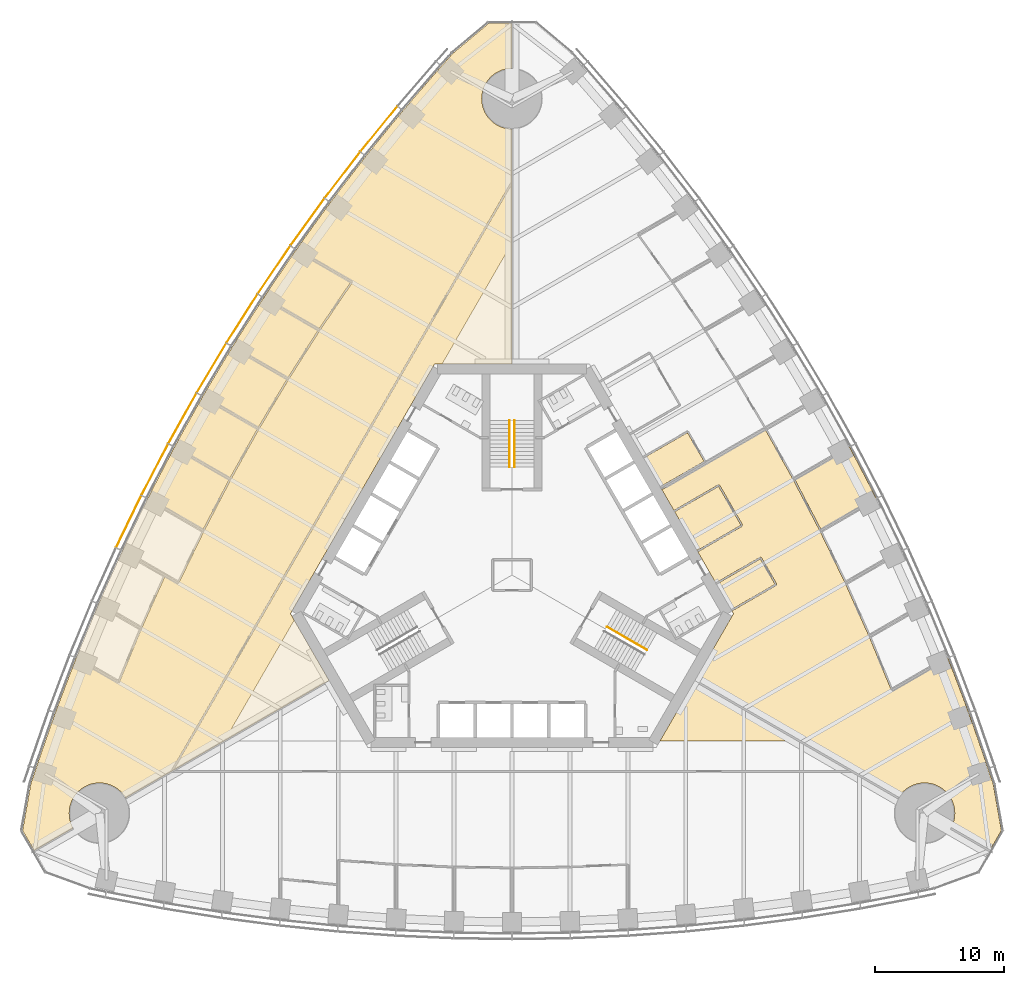
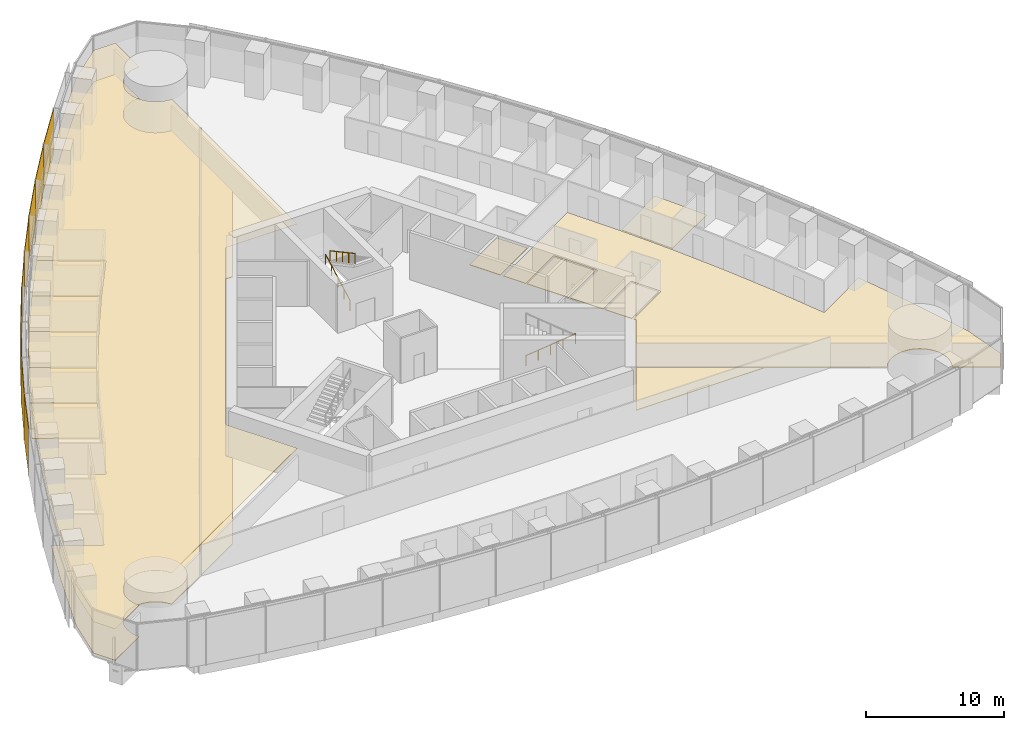
# One storey, part 15 of 18: 14 coverings, 9 shading devices, 3 railings.
"""IFC4 building model written with IfcOpenShell, lengths in metres."""

from ifc_helpers import new_model, si_unit, direction, frame, origin, origin_2d, place, context, subcontext, project, spatial, polyline, rectangle, circle, outline, extrude, material, layer, layer_set, type_object, element, save


model = new_model("IFC4")

# Units and contexts
model_context = context("Model", 3, precision=1e-05, world=origin(), true_north=direction((0.0, 1.0)))
body_context = subcontext(model_context, "Body", "Model", "MODEL_VIEW")
ifc_project = project(units=[si_unit("LENGTHUNIT", "METRE"), si_unit("AREAUNIT", "SQUARE_METRE"), si_unit("VOLUMEUNIT", "CUBIC_METRE"), si_unit("PLANEANGLEUNIT", "RADIAN"), si_unit("MASSUNIT", "GRAM", prefix="KILO")], contexts=[model_context])

# Site, building, storey
site_placement = place(None, origin())
site = spatial("IfcSite", under=ifc_project, at=site_placement, CompositionType="ELEMENT")
building_placement = place(site_placement, origin())
building = spatial("IfcBuilding", under=site, at=building_placement, Name="Trefoil Bronze Tower", CompositionType="ELEMENT")
storey_placement = place(building_placement, frame((0.0, 0.0, 54.300048828125)))
storey = spatial("IfcBuildingStorey", under=building, at=storey_placement, Name="L12", CompositionType="ELEMENT", Elevation=54.300048828125)

# Shading devices
ifc_material_1 = material(Name="Perforated bronze sheet", Category="bronze")
ifc_layer_1 = layer(ifc_material_1, 0.0400390625)
ifc_layer_set_1 = layer_set([ifc_layer_1], Name="Bronze solar screen panel")
shading_device_type = type_object("IfcShadingDeviceType", Name="Bronze solar screen panel", PredefinedType="SHUTTER", material=ifc_layer_set_1)
shading_device_1_placement = place(storey_placement, frame((-10.338623046875, 34.6474609375, 0.0498046875), z_axis=(0.0, 0.0, 1.0), x_axis=(-0.631810729457, -0.775122701346, 0.0)))
element("IfcShadingDevice", 1, at=shading_device_1_placement, inside=storey, type_object=shading_device_type, Name="Solar screen CW-A L12 F3 bay 3", PredefinedType="SHUTTER", context=body_context, shape_type="SweptSolid", body=[
    extrude(rectangle(XDim=4.5283203125, YDim=0.0400390625, at=origin_2d()), origin(), (0.0, 0.0, 1.0), 4.10009765625),
])
shading_device_2_placement = place(storey_placement, frame((-13.170166015625, 31.06787109375, 0.0498046875), z_axis=(0.0, 0.0, 1.0), x_axis=(-0.608807670879, -0.793317855515, 0.0)))
element("IfcShadingDevice", 2, at=shading_device_2_placement, inside=storey, type_object=shading_device_type, Name="Solar screen CW-A L12 F3 bay 4", PredefinedType="SHUTTER", context=body_context, shape_type="SweptSolid", body=[
    extrude(rectangle(XDim=4.5087890625, YDim=0.0400390625, at=origin_2d()), origin(), (0.0, 0.0, 1.0), 4.10009765625),
])
shading_device_3_placement = place(storey_placement, frame((-15.88525390625, 27.421142578125, 0.0498046875), z_axis=(0.0, 0.0, 1.0), x_axis=(-0.585372522213, -0.810764460394, 0.0)))
element("IfcShadingDevice", 3, at=shading_device_3_placement, inside=storey, type_object=shading_device_type, Name="Solar screen CW-A L12 F3 bay 5", PredefinedType="SHUTTER", context=body_context, shape_type="SweptSolid", body=[
    extrude(rectangle(XDim=4.493408203125, YDim=0.0400390625, at=origin_2d()), origin(), (0.0, 0.0, 1.0), 4.10009765625),
])
shading_device_4_placement = place(storey_placement, frame((-18.48486328125, 23.707763671875, 0.0498046875), z_axis=(0.0, 0.0, 1.0), x_axis=(-0.56150968077, -0.827470167681, 0.0)))
element("IfcShadingDevice", 4, at=shading_device_4_placement, inside=storey, type_object=shading_device_type, Name="Solar screen CW-A L12 F3 bay 6", PredefinedType="SHUTTER", context=body_context, shape_type="SweptSolid", body=[
    extrude(rectangle(XDim=4.48193359375, YDim=0.0400390625, at=origin_2d()), origin(), (0.0, 0.0, 1.0), 4.10009765625),
])
shading_device_5_placement = place(storey_placement, frame((-20.97021484375, 19.928466796875, 0.0498046875), z_axis=(0.0, 0.0, 1.0), x_axis=(-0.537222392469, -0.843440632783, 0.0)))
element("IfcShadingDevice", 5, at=shading_device_5_placement, inside=storey, type_object=shading_device_type, Name="Solar screen CW-A L12 F3 bay 7", PredefinedType="SHUTTER", context=body_context, shape_type="SweptSolid", body=[
    extrude(rectangle(XDim=4.474365234375, YDim=0.0400390625, at=origin_2d()), origin(), (0.0, 0.0, 1.0), 4.10009765625),
])
for number, where, z_axis, x_axis, name in (
    (6, (-23.341552734375, 16.083251953125, 0.0498046875), (0.0, 0.0, 1.0), (-0.51251279404, -0.858679588639, 0.0), "Solar screen CW-A L12 F3 bay 8"),
    (7, (-25.599365234375, 12.172607421875, 0.0498046875), (0.0, 0.0, 1.0), (-0.487381940453, -0.873188893722, 0.0), "Solar screen CW-A L12 F3 bay 9"),
):
    element("IfcShadingDevice", number, at=place(storey_placement, frame(where, z_axis=z_axis, x_axis=x_axis)), inside=storey, type_object=shading_device_type, Name=name, PredefinedType="SHUTTER", context=body_context, shape_type="SweptSolid", body=[
        extrude(rectangle(XDim=4.470458984375, YDim=0.0400390625, at=origin_2d()), origin(), (0.0, 0.0, 1.0), 4.10009765625),
    ])
shading_device_6_placement = place(storey_placement, frame((-27.74365234375, 8.1962890625, 0.0498046875), z_axis=(0.0, 0.0, 1.0), x_axis=(-0.46182981834, -0.886968555752, 0.0)))
element("IfcShadingDevice", 8, at=shading_device_6_placement, inside=storey, type_object=shading_device_type, Name="Solar screen CW-A L12 F3 bay 10", PredefinedType="SHUTTER", context=body_context, shape_type="SweptSolid", body=[
    extrude(rectangle(XDim=4.474365234375, YDim=0.0400390625, at=origin_2d()), origin(), (0.0, 0.0, 1.0), 4.10009765625),
])
shading_device_7_placement = place(storey_placement, frame((-29.77392578125, 4.154541015625, 0.0498046875), z_axis=(0.0, 0.0, 1.0), x_axis=(-0.4358553457, -0.900016731858, 0.0)))
element("IfcShadingDevice", 9, at=shading_device_7_placement, inside=storey, type_object=shading_device_type, Name="Solar screen CW-A L12 F3 bay 11", PredefinedType="SHUTTER", context=body_context, shape_type="SweptSolid", body=[
    extrude(rectangle(XDim=4.48193359375, YDim=0.0400390625, at=origin_2d()), origin(), (0.0, 0.0, 1.0), 4.10009765625),
])

# Railings
ifc_material_2 = material(Name="Steel handrail", Category="steel")
railing_type = type_object("IfcRailingType", Name="Handrail 900", PredefinedType="HANDRAIL", material=ifc_material_2)
railing_1_placement = place(storey_placement, frame((7.365966796875, -4.021728515625, 0.161376953125)))
element("IfcRailing", 10, at=railing_1_placement, inside=storey, type_object=railing_type, Name="Handrail ST1 flight 1 L12", PredefinedType="HANDRAIL", context=body_context, shape_type="SweptSolid", body=[
    extrude(circle(Radius=0.02392578125, at=origin_2d()), frame((0.0, 0.0, 0.8759765625), z_axis=(0.76250339821, -0.440245697338, 0.474101564745), x_axis=(0.500012057535, 0.866018442252, 0.0)), (0.0, 0.0, 1.0), 4.088623046875),
    extrude(circle(Radius=0.02099609375, at=origin_2d()), origin(), (0.0, 0.0, 1.0), 0.851806640625),
    extrude(circle(Radius=0.02099609375, at=origin_2d()), frame((0.779296875, -0.449951171875, 0.484619140625)), (0.0, 0.0, 1.0), 0.851806640625),
    extrude(circle(Radius=0.02099609375, at=origin_2d()), frame((1.558837890625, -0.89990234375, 0.96923828125)), (0.0, 0.0, 1.0), 0.851806640625),
    extrude(circle(Radius=0.02099609375, at=origin_2d()), frame((2.33837890625, -1.35009765625, 1.453857421875)), (0.0, 0.0, 1.0), 0.851806640625),
    extrude(circle(Radius=0.02099609375, at=origin_2d()), frame((3.11767578125, -1.800048828125, 1.9384765625)), (0.0, 0.0, 1.0), 0.851806640625),
])
railing_2_placement = place(storey_placement, frame((-0.199951171875, 8.389892578125, 0.161376953125)))
element("IfcRailing", 11, at=railing_2_placement, inside=storey, type_object=railing_type, Name="Handrail ST2 flight 1 L12", PredefinedType="HANDRAIL", context=body_context, shape_type="SweptSolid", body=[
    extrude(circle(Radius=0.02392578125, at=origin_2d()), frame((0.0, 0.0, 0.8759765625), z_axis=(0.0, 0.880474934443, 0.474092701714), x_axis=(-1.0, 0.0, 0.0)), (0.0, 0.0, 1.0), 4.0888671875),
    extrude(circle(Radius=0.02099609375, at=origin_2d()), origin(), (0.0, 0.0, 1.0), 0.851806640625),
    extrude(circle(Radius=0.02099609375, at=origin_2d()), frame((0.0, 0.89990234375, 0.484619140625)), (0.0, 0.0, 1.0), 0.851806640625),
    extrude(circle(Radius=0.02099609375, at=origin_2d()), frame((0.0, 1.800048828125, 0.96923828125)), (0.0, 0.0, 1.0), 0.851806640625),
    extrude(circle(Radius=0.02099609375, at=origin_2d()), frame((0.0, 2.7001953125, 1.453857421875)), (0.0, 0.0, 1.0), 0.851806640625),
    extrude(circle(Radius=0.02099609375, at=origin_2d()), frame((0.0, 3.60009765625, 1.9384765625)), (0.0, 0.0, 1.0), 0.851806640625),
])
railing_3_placement = place(storey_placement, frame((0.199951171875, 11.989990234375, 2.261474609375)))
element("IfcRailing", 12, at=railing_3_placement, inside=storey, type_object=railing_type, Name="Handrail ST2 flight 2 L12", PredefinedType="HANDRAIL", context=body_context, shape_type="SweptSolid", body=[
    extrude(circle(Radius=0.02392578125, at=origin_2d()), frame((0.0, 0.0, 0.8759765625), z_axis=(0.0, -0.880474934443, 0.474092701714), x_axis=(1.0, 0.0, 0.0)), (0.0, 0.0, 1.0), 4.0888671875),
    extrude(circle(Radius=0.02099609375, at=origin_2d()), origin(), (0.0, 0.0, 1.0), 0.851806640625),
    extrude(circle(Radius=0.02099609375, at=origin_2d()), frame((0.0, -0.89990234375, 0.484619140625)), (0.0, 0.0, 1.0), 0.851806640625),
    extrude(circle(Radius=0.02099609375, at=origin_2d()), frame((0.0, -1.800048828125, 0.96923828125)), (0.0, 0.0, 1.0), 0.851806640625),
    extrude(circle(Radius=0.02099609375, at=origin_2d()), frame((0.0, -2.7001953125, 1.453857421875)), (0.0, 0.0, 1.0), 0.851806640625),
    extrude(circle(Radius=0.02099609375, at=origin_2d()), frame((0.0, -3.60009765625, 1.9384765625)), (0.0, 0.0, 1.0), 0.851806640625),
])

# Coverings
ifc_material_3 = material(Name="Acoustic ceiling panels", Category="mineral fibre")
ifc_layer_2 = layer(ifc_material_3, 0.02001953125)
ifc_layer_set_2 = layer_set([ifc_layer_2], Name="Office ceiling 20")
covering_type_1 = type_object("IfcCoveringType", Name="Office ceiling 20", PredefinedType="CEILING", material=ifc_layer_set_2)
covering_1_placement = place(storey_placement, frame((0.0, 0.0, 2.89990234375)))
element("IfcCovering", 13, at=covering_1_placement, inside=storey, type_object=covering_type_1, Name="Ceiling L12 Open-plan office F3", PredefinedType="CEILING", context=body_context, shape_type="SweptSolid", body=[
    extrude(outline(polyline([(-36.9814453125, -15.021728515625), (-35.47998046875, -10.6923828125), (-33.860107421875, -6.431640625), (-32.123291015625, -2.23828125), (-30.271240234375, 1.888671875), (-28.3046875, 5.949462890625), (-26.224609375, 9.944580078125), (-24.031005859375, 13.87451171875), (-21.724609375, 17.73876953125), (-19.3046875, 21.537841796875), (-16.771240234375, 25.271484375), (-14.123291015625, 28.938720703125), (-11.360107421875, 32.53955078125), (-8.47998046875, 36.072998046875), (-5.4814453125, 39.537841796875), (-4.618896484375, 40.497314453125), (-1.82421875, 42.84228515625), (-0.01611328125, 42.84228515625), (-0.014892578125, 39.349609375), (-0.115234375, 39.34716796875), (-0.230224609375, 39.338623046875), (-0.3447265625, 39.32470703125), (-0.45849609375, 39.3046875), (-0.571044921875, 39.279541015625), (-0.68212890625, 39.248779296875), (-0.791748046875, 39.212646484375), (-0.8994140625, 39.171142578125), (-1.0048828125, 39.12451171875), (-1.10791015625, 39.072509765625), (-1.2080078125, 39.015625), (-1.3056640625, 38.9541015625), (-1.39990234375, 38.887451171875), (-1.49072265625, 38.816650390625), (-1.578125, 38.7412109375), (-1.66162109375, 38.66162109375), (-1.7412109375, 38.578125), (-1.816650390625, 38.49072265625), (-1.887451171875, 38.39990234375), (-1.9541015625, 38.3056640625), (-2.015625, 38.2080078125), (-2.072509765625, 38.10791015625), (-2.12451171875, 38.0048828125), (-2.171142578125, 37.8994140625), (-2.212646484375, 37.791748046875), (-2.248779296875, 37.68212890625), (-2.279541015625, 37.571044921875), (-2.3046875, 37.45849609375), (-2.32470703125, 37.3447265625), (-2.338623046875, 37.230224609375), (-2.34716796875, 37.115234375), (-2.35009765625, 37.0), (-2.34716796875, 36.884765625), (-2.338623046875, 36.769775390625), (-2.32470703125, 36.6552734375), (-2.3046875, 36.54150390625), (-2.279541015625, 36.428955078125), (-2.248779296875, 36.31787109375), (-2.212646484375, 36.208251953125), (-2.171142578125, 36.1005859375), (-2.12451171875, 35.9951171875), (-2.072509765625, 35.89208984375), (-2.015625, 35.7919921875), (-1.9541015625, 35.6943359375), (-1.887451171875, 35.60009765625), (-1.816650390625, 35.50927734375), (-1.7412109375, 35.421875), (-1.66162109375, 35.33837890625), (-1.578125, 35.2587890625), (-1.49072265625, 35.183349609375), (-1.39990234375, 35.112548828125), (-1.3056640625, 35.0458984375), (-1.2080078125, 34.984375), (-1.10791015625, 34.927490234375), (-1.0048828125, 34.87548828125), (-0.8994140625, 34.828857421875), (-0.791748046875, 34.787353515625), (-0.68212890625, 34.751220703125), (-0.571044921875, 34.720458984375), (-0.45849609375, 34.6953125), (-0.3447265625, 34.67529296875), (-0.230224609375, 34.661376953125), (-0.115234375, 34.65283203125), (-0.012939453125, 34.650390625), (-0.006103515625, 16.39990234375), (-6.00439453125, 16.39990234375), (-17.205078125, -3.0), (-14.205810546875, -8.194580078125), (-30.0146484375, -17.31396484375), (-30.02734375, -17.2919921875), (-30.089111328125, -17.1943359375), (-30.155517578125, -17.10009765625), (-30.226318359375, -17.00927734375), (-30.3017578125, -16.921875), (-30.381103515625, -16.83837890625), (-30.46484375, -16.7587890625), (-30.552001953125, -16.683349609375), (-30.64306640625, -16.612548828125), (-30.7373046875, -16.5458984375), (-30.834716796875, -16.484375), (-30.935302734375, -16.427490234375), (-31.0380859375, -16.37548828125), (-31.1435546875, -16.328857421875), (-31.251220703125, -16.287353515625), (-31.36083984375, -16.251220703125), (-31.471923828125, -16.220458984375), (-31.58447265625, -16.1953125), (-31.697998046875, -16.17529296875), (-31.8125, -16.161376953125), (-31.927490234375, -16.15283203125), (-32.04296875, -16.14990234375), (-32.158203125, -16.15283203125), (-32.273193359375, -16.161376953125), (-32.3876953125, -16.17529296875), (-32.50146484375, -16.1953125), (-32.614013671875, -16.220458984375), (-32.72509765625, -16.251220703125), (-32.834716796875, -16.287353515625), (-32.942138671875, -16.328857421875), (-33.047607421875, -16.37548828125), (-33.150634765625, -16.427490234375), (-33.251220703125, -16.484375), (-33.348388671875, -16.5458984375), (-33.44287109375, -16.612548828125), (-33.53369140625, -16.683349609375), (-33.62109375, -16.7587890625), (-33.70458984375, -16.83837890625), (-33.7841796875, -16.921875), (-33.859619140625, -17.00927734375), (-33.930419921875, -17.10009765625), (-33.996826171875, -17.1943359375), (-34.05859375, -17.2919921875), (-34.115478515625, -17.39208984375), (-34.167236328125, -17.4951171875), (-34.214111328125, -17.6005859375), (-34.255615234375, -17.708251953125), (-34.291748046875, -17.81787109375), (-34.322509765625, -17.928955078125), (-34.347900390625, -18.04150390625), (-34.367431640625, -18.1552734375), (-34.381591796875, -18.269775390625), (-34.39013671875, -18.384765625), (-34.392822265625, -18.5), (-34.39013671875, -18.615234375), (-34.381591796875, -18.730224609375), (-34.367431640625, -18.8447265625), (-34.347900390625, -18.95849609375), (-34.322509765625, -19.071044921875), (-34.291748046875, -19.18212890625), (-34.255615234375, -19.291748046875), (-34.214111328125, -19.3994140625), (-34.167236328125, -19.5048828125), (-34.115478515625, -19.60791015625), (-34.084716796875, -19.661865234375), (-37.110595703125, -21.4072265625), (-38.0146484375, -19.841552734375), (-37.381103515625, -16.248779296875), (-36.9814453125, -15.021728515625)])), origin(), (0.0, 0.0, 1.0), 0.02001953125),
])
ifc_material_4 = material(Name="Raised access floor panels", Category="steel")
ifc_layer_3 = layer(ifc_material_4, 0.050048828125)
ifc_layer_set_3 = layer_set([ifc_layer_3], Name="Raised access floor 150")
covering_type_2 = type_object("IfcCoveringType", Name="Raised access floor 150", PredefinedType="FLOORING", material=ifc_layer_set_3)
covering_2_placement = place(storey_placement, frame((0.0, 0.0, 0.099853515625)))
element("IfcCovering", 14, at=covering_2_placement, inside=storey, type_object=covering_type_2, Name="Raised floor L12 Open-plan office F1", PredefinedType="FLOORING", context=body_context, shape_type="SweptSolid", body=[
    extrude(outline(polyline([(14.19970703125, -8.205322265625), (22.32421875, -12.89990234375), (11.4892578125, -12.89990234375), (14.19970703125, -8.205322265625)])), origin(), (0.0, 0.0, 1.0), 0.050048828125),
])
covering_3_placement = place(storey_placement, frame((0.0, 0.0, 0.099853515625)))
element("IfcCovering", 15, at=covering_3_placement, inside=storey, type_object=covering_type_2, Name="Raised floor L12 Meeting room F2", PredefinedType="FLOORING", context=body_context, shape_type="SweptSolid", body=[
    extrude(outline(polyline([(12.634765625, 4.916015625), (16.046875, 6.885986328125), (17.786865234375, 3.872314453125), (14.374755859375, 1.902099609375), (12.634765625, 4.916015625)])), origin(), (0.0, 0.0, 1.0), 0.050048828125),
])
covering_4_placement = place(storey_placement, frame((0.0, 0.0, 0.099853515625)))
element("IfcCovering", 16, at=covering_4_placement, inside=storey, type_object=covering_type_2, Name="Raised floor L12 Pantry F2", PredefinedType="FLOORING", context=body_context, shape_type="SweptSolid", body=[
    extrude(outline(polyline([(10.22216796875, 9.094482421875), (13.634521484375, 11.064697265625), (14.92431640625, 8.830078125), (11.51220703125, 6.860107421875), (10.22216796875, 9.094482421875)])), origin(), (0.0, 0.0, 1.0), 0.050048828125),
])
covering_5_placement = place(storey_placement, frame((0.0, 0.0, 0.099853515625)))
element("IfcCovering", 17, at=covering_5_placement, inside=storey, type_object=covering_type_2, Name="Raised floor L12 Print and store room F2", PredefinedType="FLOORING", context=body_context, shape_type="SweptSolid", body=[
    extrude(outline(polyline([(15.884765625, -0.713134765625), (19.296875, 1.2568359375), (20.43701171875, -0.7177734375), (17.024658203125, -2.687744140625), (15.884765625, -0.713134765625)])), origin(), (0.0, 0.0, 1.0), 0.050048828125),
])
covering_6_placement = place(storey_placement, frame((0.0, 0.0, 0.099853515625)))
element("IfcCovering", 18, at=covering_6_placement, inside=storey, type_object=covering_type_2, Name="Raised floor L12 Office F2", PredefinedType="FLOORING", context=body_context, shape_type="SweptSolid", body=[
    extrude(outline(polyline([(26.224609375, 9.944580078125), (28.3046875, 5.949462890625), (26.93408203125, 5.158203125), (26.904052734375, 5.210205078125), (23.998779296875, 3.53271484375), (21.97412109375, 7.42138671875), (24.885498046875, 9.102294921875), (24.855712890625, 9.154296875), (26.224609375, 9.944580078125)])), origin(), (0.0, 0.0, 1.0), 0.050048828125),
])
covering_7_placement = place(storey_placement, frame((0.0, 0.0, 0.099853515625)))
element("IfcCovering", 19, at=covering_7_placement, inside=storey, type_object=covering_type_2, Name="Raised floor L12 Open-plan office F2", PredefinedType="FLOORING", context=body_context, shape_type="SweptSolid", body=[
    extrude(outline(polyline([(30.0146484375, -17.31396484375), (14.205810546875, -8.194580078125), (17.205078125, -3.0), (17.084716796875, -2.79150390625), (20.548828125, -0.79150390625), (20.518798828125, -0.73974609375), (20.57080078125, -0.709716796875), (19.370849609375, 1.368896484375), (19.31884765625, 1.3388671875), (19.288818359375, 1.390625), (15.82470703125, -0.609375), (14.434814453125, 1.79833984375), (17.898681640625, 3.79833984375), (17.868896484375, 3.850341796875), (17.9208984375, 3.88037109375), (16.120849609375, 6.997802734375), (16.06884765625, 6.968017578125), (16.038818359375, 7.02001953125), (12.57470703125, 5.02001953125), (11.605224609375, 6.69921875), (11.614013671875, 6.7041015625), (11.65087890625, 6.639892578125), (19.685546875, 11.27880859375), (21.841552734375, 7.416015625), (23.9208984375, 3.422607421875), (25.88671875, -0.63671875), (27.73828125, -4.761962890625), (29.474609375, -8.95458984375), (29.530029296875, -8.931640625), (29.56005859375, -8.983642578125), (32.507080078125, -7.281982421875), (32.477294921875, -7.22998046875), (33.860107421875, -6.431640625), (35.47998046875, -10.6923828125), (36.9814453125, -15.021728515625), (37.381103515625, -16.248779296875), (38.0146484375, -19.841552734375), (37.110595703125, -21.4072265625), (34.084716796875, -19.661865234375), (34.115478515625, -19.60791015625), (34.167236328125, -19.5048828125), (34.214111328125, -19.3994140625), (34.255615234375, -19.291748046875), (34.291748046875, -19.18212890625), (34.322509765625, -19.071044921875), (34.347900390625, -18.95849609375), (34.367431640625, -18.8447265625), (34.381591796875, -18.730224609375), (34.39013671875, -18.615234375), (34.392822265625, -18.5), (34.39013671875, -18.384765625), (34.381591796875, -18.269775390625), (34.367431640625, -18.1552734375), (34.347900390625, -18.04150390625), (34.322509765625, -17.928955078125), (34.291748046875, -17.81787109375), (34.255615234375, -17.708251953125), (34.214111328125, -17.6005859375), (34.167236328125, -17.4951171875), (34.115478515625, -17.39208984375), (34.05859375, -17.2919921875), (33.996826171875, -17.1943359375), (33.930419921875, -17.10009765625), (33.859619140625, -17.00927734375), (33.7841796875, -16.921875), (33.70458984375, -16.83837890625), (33.62109375, -16.7587890625), (33.53369140625, -16.683349609375), (33.44287109375, -16.612548828125), (33.348388671875, -16.5458984375), (33.251220703125, -16.484375), (33.150634765625, -16.427490234375), (33.047607421875, -16.37548828125), (32.942138671875, -16.328857421875), (32.834716796875, -16.287353515625), (32.72509765625, -16.251220703125), (32.614013671875, -16.220458984375), (32.50146484375, -16.1953125), (32.3876953125, -16.17529296875), (32.273193359375, -16.161376953125), (32.158203125, -16.15283203125), (32.04296875, -16.14990234375), (31.927490234375, -16.15283203125), (31.8125, -16.161376953125), (31.697998046875, -16.17529296875), (31.58447265625, -16.1953125), (31.471923828125, -16.220458984375), (31.36083984375, -16.251220703125), (31.251220703125, -16.287353515625), (31.1435546875, -16.328857421875), (31.0380859375, -16.37548828125), (30.935302734375, -16.427490234375), (30.834716796875, -16.484375), (30.7373046875, -16.5458984375), (30.64306640625, -16.612548828125), (30.552001953125, -16.683349609375), (30.46484375, -16.7587890625), (30.381103515625, -16.83837890625), (30.3017578125, -16.921875), (30.226318359375, -17.00927734375), (30.155517578125, -17.10009765625), (30.089111328125, -17.1943359375), (30.02734375, -17.2919921875), (30.0146484375, -17.31396484375)])), origin(), (0.0, 0.0, 1.0), 0.050048828125),
])
covering_8_placement = place(storey_placement, frame((0.0, 0.0, 0.099853515625)))
element("IfcCovering", 20, at=covering_8_placement, inside=storey, type_object=covering_type_2, Name="Raised floor L12 Office F3", PredefinedType="FLOORING", context=body_context, shape_type="SweptSolid", body=[
    extrude(outline(polyline([(-19.3046875, 21.537841796875), (-16.771240234375, 25.271484375), (-15.397705078125, 24.478515625), (-15.427734375, 24.426513671875), (-12.527099609375, 22.751708984375), (-14.992919921875, 19.117919921875), (-17.904052734375, 20.798583984375), (-17.93408203125, 20.74658203125), (-19.3046875, 21.537841796875)])), origin(), (0.0, 0.0, 1.0), 0.050048828125),
])
covering_9_placement = place(storey_placement, frame((0.0, 0.0, 0.099853515625)))
element("IfcCovering", 21, at=covering_9_placement, inside=storey, type_object=covering_type_2, Name="Raised floor L12 Office F3", PredefinedType="FLOORING", context=body_context, shape_type="SweptSolid", body=[
    extrude(outline(polyline([(-19.3046875, 21.537841796875), (-17.93408203125, 20.74658203125), (-17.964111328125, 20.694580078125), (-15.058837890625, 19.017333984375), (-17.414306640625, 15.319580078125), (-20.32568359375, 17.00048828125), (-20.355712890625, 16.948486328125), (-21.724609375, 17.73876953125), (-19.3046875, 21.537841796875)])), origin(), (0.0, 0.0, 1.0), 0.050048828125),
])
covering_10_placement = place(storey_placement, frame((0.0, 0.0, 0.099853515625)))
element("IfcCovering", 22, at=covering_10_placement, inside=storey, type_object=covering_type_2, Name="Raised floor L12 Office F3", PredefinedType="FLOORING", context=body_context, shape_type="SweptSolid", body=[
    extrude(outline(polyline([(-24.031005859375, 13.87451171875), (-21.724609375, 17.73876953125), (-20.355712890625, 16.948486328125), (-20.385498046875, 16.896484375), (-17.47705078125, 15.21728515625), (-19.72216796875, 11.455810546875), (-22.6328125, 13.13623046875), (-22.662841796875, 13.08447265625), (-24.031005859375, 13.87451171875)])), origin(), (0.0, 0.0, 1.0), 0.050048828125),
])
covering_11_placement = place(storey_placement, frame((0.0, 0.0, 0.099853515625)))
element("IfcCovering", 23, at=covering_11_placement, inside=storey, type_object=covering_type_2, Name="Raised floor L12 Office F3", PredefinedType="FLOORING", context=body_context, shape_type="SweptSolid", body=[
    extrude(outline(polyline([(-26.224609375, 9.944580078125), (-24.031005859375, 13.87451171875), (-22.662841796875, 13.08447265625), (-22.69287109375, 13.032470703125), (-19.7822265625, 11.35205078125), (-21.9169921875, 7.527099609375), (-24.82568359375, 9.206298828125), (-24.855712890625, 9.154296875), (-26.224609375, 9.944580078125)])), origin(), (0.0, 0.0, 1.0), 0.050048828125),
])
covering_12_placement = place(storey_placement, frame((0.0, 0.0, 0.099853515625)))
element("IfcCovering", 24, at=covering_12_placement, inside=storey, type_object=covering_type_2, Name="Raised floor L12 Meeting room F3", PredefinedType="FLOORING", context=body_context, shape_type="SweptSolid", body=[
    extrude(outline(polyline([(-28.3046875, 5.949462890625), (-26.224609375, 9.944580078125), (-24.855712890625, 9.154296875), (-24.885498046875, 9.102294921875), (-21.97412109375, 7.42138671875), (-23.998779296875, 3.53271484375), (-26.904052734375, 5.210205078125), (-26.93408203125, 5.158203125), (-28.3046875, 5.949462890625)])), origin(), (0.0, 0.0, 1.0), 0.050048828125),
])
covering_13_placement = place(storey_placement, frame((0.0, 0.0, 0.099853515625)))
element("IfcCovering", 25, at=covering_13_placement, inside=storey, type_object=covering_type_2, Name="Raised floor L12 Corridor F3", PredefinedType="FLOORING", context=body_context, shape_type="SweptSolid", body=[
    extrude(outline(polyline([(-0.011474609375, 30.38037109375), (-0.009765625, 25.783203125), (-5.427001953125, 16.39990234375), (-6.00439453125, 16.39990234375), (-17.205078125, -3.0), (-16.91650390625, -3.5), (-22.333740234375, -12.88330078125), (-26.31591796875, -15.180419921875), (-0.011474609375, 30.38037109375)])), origin(), (0.0, 0.0, 1.0), 0.050048828125),
])
covering_14_placement = place(storey_placement, frame((0.0, 0.0, 0.099853515625)))
element("IfcCovering", 26, at=covering_14_placement, inside=storey, type_object=covering_type_2, Name="Raised floor L12 Open-plan office F3", PredefinedType="FLOORING", context=body_context, shape_type="SweptSolid", body=[
    extrude(outline(polyline([(-35.47998046875, -10.6923828125), (-33.860107421875, -6.431640625), (-32.477294921875, -7.22998046875), (-32.507080078125, -7.281982421875), (-30.59912109375, -8.383544921875), (-30.569091796875, -8.33154296875), (-30.513916015625, -8.3544921875), (-28.77734375, -4.161865234375), (-26.952880859375, -0.096435546875), (-25.97119140625, -0.663330078125), (-25.941162109375, -0.611328125), (-25.88720703125, -0.637451171875), (-23.9208984375, 3.422607421875), (-21.841552734375, 7.416015625), (-19.64892578125, 11.344482421875), (-17.34326171875, 15.207275390625), (-14.924560546875, 19.0048828125), (-12.3916015625, 22.73779296875), (-12.441162109375, 22.771484375), (-12.4111328125, 22.8232421875), (-15.367919921875, 24.5302734375), (-15.397705078125, 24.478515625), (-16.771240234375, 25.271484375), (-14.123291015625, 28.938720703125), (-11.360107421875, 32.53955078125), (-8.47998046875, 36.072998046875), (-5.4814453125, 39.537841796875), (-4.618896484375, 40.497314453125), (-1.82421875, 42.84228515625), (-0.01611328125, 42.84228515625), (-0.014892578125, 39.349609375), (-0.115234375, 39.34716796875), (-0.230224609375, 39.338623046875), (-0.3447265625, 39.32470703125), (-0.45849609375, 39.3046875), (-0.571044921875, 39.279541015625), (-0.68212890625, 39.248779296875), (-0.791748046875, 39.212646484375), (-0.8994140625, 39.171142578125), (-1.0048828125, 39.12451171875), (-1.10791015625, 39.072509765625), (-1.2080078125, 39.015625), (-1.3056640625, 38.9541015625), (-1.39990234375, 38.887451171875), (-1.49072265625, 38.816650390625), (-1.578125, 38.7412109375), (-1.66162109375, 38.66162109375), (-1.7412109375, 38.578125), (-1.816650390625, 38.49072265625), (-1.887451171875, 38.39990234375), (-1.9541015625, 38.3056640625), (-2.015625, 38.2080078125), (-2.072509765625, 38.10791015625), (-2.12451171875, 38.0048828125), (-2.171142578125, 37.8994140625), (-2.212646484375, 37.791748046875), (-2.248779296875, 37.68212890625), (-2.279541015625, 37.571044921875), (-2.3046875, 37.45849609375), (-2.32470703125, 37.3447265625), (-2.338623046875, 37.230224609375), (-2.34716796875, 37.115234375), (-2.35009765625, 37.0), (-2.34716796875, 36.884765625), (-2.338623046875, 36.769775390625), (-2.32470703125, 36.6552734375), (-2.3046875, 36.54150390625), (-2.279541015625, 36.428955078125), (-2.248779296875, 36.31787109375), (-2.212646484375, 36.208251953125), (-2.171142578125, 36.1005859375), (-2.12451171875, 35.9951171875), (-2.072509765625, 35.89208984375), (-2.015625, 35.7919921875), (-1.9541015625, 35.6943359375), (-1.887451171875, 35.60009765625), (-1.816650390625, 35.50927734375), (-1.7412109375, 35.421875), (-1.66162109375, 35.33837890625), (-1.578125, 35.2587890625), (-1.49072265625, 35.183349609375), (-1.39990234375, 35.112548828125), (-1.3056640625, 35.0458984375), (-1.2080078125, 34.984375), (-1.10791015625, 34.927490234375), (-1.0048828125, 34.87548828125), (-0.8994140625, 34.828857421875), (-0.791748046875, 34.787353515625), (-0.68212890625, 34.751220703125), (-0.571044921875, 34.720458984375), (-0.45849609375, 34.6953125), (-0.3447265625, 34.67529296875), (-0.230224609375, 34.661376953125), (-0.115234375, 34.65283203125), (-0.012939453125, 34.650390625), (-0.011474609375, 30.488525390625), (-0.068359375, 30.521484375), (-26.466552734375, -15.201416015625), (-26.40966796875, -15.234375), (-30.0146484375, -17.31396484375), (-30.02734375, -17.2919921875), (-30.089111328125, -17.1943359375), (-30.155517578125, -17.10009765625), (-30.226318359375, -17.00927734375), (-30.3017578125, -16.921875), (-30.381103515625, -16.83837890625), (-30.46484375, -16.7587890625), (-30.552001953125, -16.683349609375), (-30.64306640625, -16.612548828125), (-30.7373046875, -16.5458984375), (-30.834716796875, -16.484375), (-30.935302734375, -16.427490234375), (-31.0380859375, -16.37548828125), (-31.1435546875, -16.328857421875), (-31.251220703125, -16.287353515625), (-31.36083984375, -16.251220703125), (-31.471923828125, -16.220458984375), (-31.58447265625, -16.1953125), (-31.697998046875, -16.17529296875), (-31.8125, -16.161376953125), (-31.927490234375, -16.15283203125), (-32.04296875, -16.14990234375), (-32.158203125, -16.15283203125), (-32.273193359375, -16.161376953125), (-32.3876953125, -16.17529296875), (-32.50146484375, -16.1953125), (-32.614013671875, -16.220458984375), (-32.72509765625, -16.251220703125), (-32.834716796875, -16.287353515625), (-32.942138671875, -16.328857421875), (-33.047607421875, -16.37548828125), (-33.150634765625, -16.427490234375), (-33.251220703125, -16.484375), (-33.348388671875, -16.5458984375), (-33.44287109375, -16.612548828125), (-33.53369140625, -16.683349609375), (-33.62109375, -16.7587890625), (-33.70458984375, -16.83837890625), (-33.7841796875, -16.921875), (-33.859619140625, -17.00927734375), (-33.930419921875, -17.10009765625), (-33.996826171875, -17.1943359375), (-34.05859375, -17.2919921875), (-34.115478515625, -17.39208984375), (-34.167236328125, -17.4951171875), (-34.214111328125, -17.6005859375), (-34.255615234375, -17.708251953125), (-34.291748046875, -17.81787109375), (-34.322509765625, -17.928955078125), (-34.347900390625, -18.04150390625), (-34.367431640625, -18.1552734375), (-34.381591796875, -18.269775390625), (-34.39013671875, -18.384765625), (-34.392822265625, -18.5), (-34.39013671875, -18.615234375), (-34.381591796875, -18.730224609375), (-34.367431640625, -18.8447265625), (-34.347900390625, -18.95849609375), (-34.322509765625, -19.071044921875), (-34.291748046875, -19.18212890625), (-34.255615234375, -19.291748046875), (-34.214111328125, -19.3994140625), (-34.167236328125, -19.5048828125), (-34.115478515625, -19.60791015625), (-34.084716796875, -19.661865234375), (-37.110595703125, -21.4072265625), (-38.0146484375, -19.841552734375), (-37.381103515625, -16.248779296875), (-36.9814453125, -15.021728515625), (-35.47998046875, -10.6923828125)])), origin(), (0.0, 0.0, 1.0), 0.050048828125),
])

save(model, "model.ifc")
